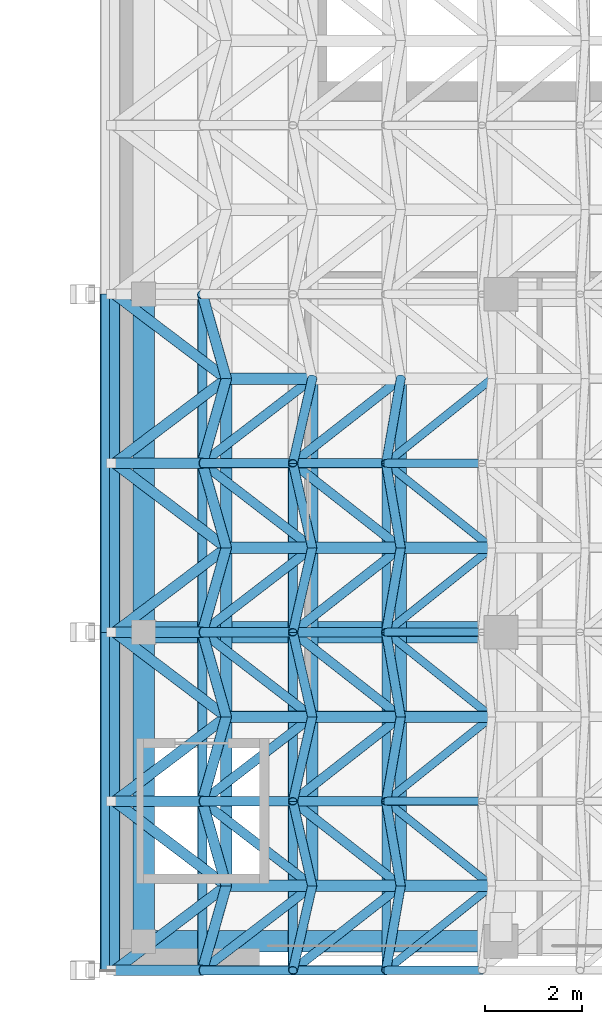
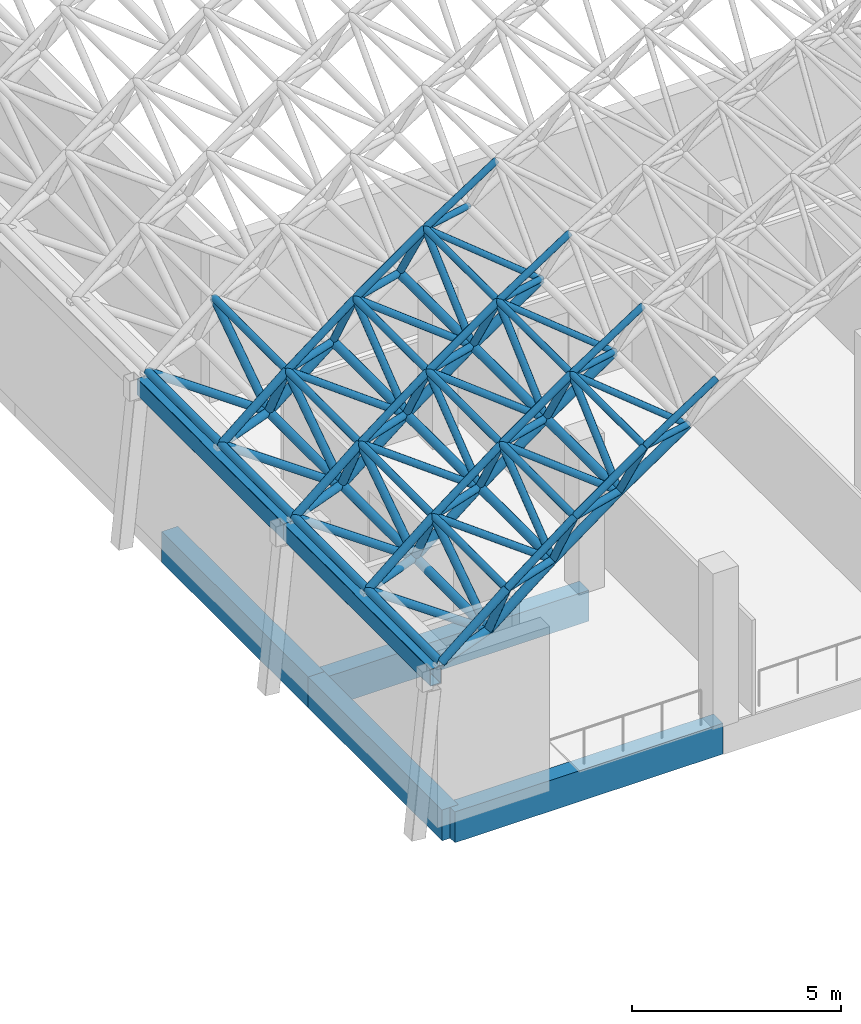
# One storey, part 38 of 141: 100 members, 6 beams.
"""IFC4 building model written with IfcOpenShell, lengths in metres."""

from ifc_helpers import new_model, si_unit, direction, frame, origin, origin_2d, place, context, subcontext, project, spatial, rectangle, hollow_rectangle, hollow_circle, extrude, material, material_profile, profile_set, type_object, element, save


model = new_model("IFC4")

# Units and contexts
model_context = context("Model", 3, precision=1e-05, world=origin(), true_north=direction((0.0, 1.0)))
body_context = subcontext(model_context, "Body", "Model", "MODEL_VIEW")
ifc_project = project(units=[si_unit("LENGTHUNIT", "METRE"), si_unit("AREAUNIT", "SQUARE_METRE"), si_unit("VOLUMEUNIT", "CUBIC_METRE"), si_unit("PLANEANGLEUNIT", "RADIAN"), si_unit("MASSUNIT", "GRAM", prefix="KILO")], contexts=[model_context])

# Site, building, storey
site_placement = place(None, origin())
site = spatial("IfcSite", under=ifc_project, at=site_placement, CompositionType="ELEMENT")
building_placement = place(site_placement, origin())
building = spatial("IfcBuilding", under=site, at=building_placement, Name="Lantern Court Media Centre", CompositionType="ELEMENT")
storey_placement = place(building_placement, frame((0.0, 0.0, 9.60009765625)))
storey = spatial("IfcBuildingStorey", under=building, at=storey_placement, Name="L02", CompositionType="ELEMENT", Elevation=9.60009765625)

# Beams
ifc_material_1 = material(Name="Concrete C35", Category="concrete")
ifc_material_profile_1 = material_profile(ifc_material_1, rectangle(XDim=0.449951171875, YDim=0.89990234375, at=origin_2d()), Name="RC 450x900")
ifc_profile_set_1 = profile_set([ifc_material_profile_1], Name="Concrete C35")
beam_type_1 = type_object("IfcBeamType", Name="RC BEAM 450x900", PredefinedType="BEAM", material=ifc_profile_set_1)
for number, where, z_axis, x_axis, name in (
    (1, (72.60009765625, -1.39990234375, -0.4501953125), (1.0, 0.0, 0.0), (0.0, 1.0, 0.0), "HB-V2-L02-FX0-0"),
    (2, (72.60009765625, 5.0, -0.4501953125), (1.0, 0.0, 0.0), (0.0, 1.0, 0.0), "HB-V2-L02-FX1-0"),
):
    element("IfcBeam", number, at=place(storey_placement, frame(where, z_axis=z_axis, x_axis=x_axis)), inside=storey, type_object=beam_type_1, Name=name, PredefinedType="BEAM", context=body_context, shape_type="SweptSolid", body=[
        extrude(rectangle(XDim=0.449951171875, YDim=0.89990234375, at=origin_2d()), origin(), (0.0, 0.0, 1.0), 7.39990234375),
    ])
beam_1_placement = place(storey_placement, frame((72.60009765625, -1.39990234375, -0.4501953125), z_axis=(0.0, 1.0, 0.0), x_axis=(-1.0, 0.0, 0.0)))
element("IfcBeam", 3, at=beam_1_placement, inside=storey, type_object=beam_type_1, Name="HB-V2-L02-FY0-0", PredefinedType="BEAM", context=body_context, shape_type="SweptSolid", body=[
    extrude(rectangle(XDim=0.449951171875, YDim=0.89990234375, at=origin_2d()), origin(), (0.0, 0.0, 1.0), 6.39990234375),
])
beam_2_placement = place(storey_placement, frame((72.60009765625, 5.0, -0.4501953125), z_axis=(0.0, 1.0, 0.0), x_axis=(-1.0, 0.0, 0.0)))
element("IfcBeam", 4, at=beam_2_placement, inside=storey, type_object=beam_type_1, Name="HB-V2-L02-FY0-1", PredefinedType="BEAM", context=body_context, shape_type="SweptSolid", body=[
    extrude(rectangle(XDim=0.449951171875, YDim=0.89990234375, at=origin_2d()), origin(), (0.0, 0.0, 1.0), 7.0),
])

# Members
ifc_material_2 = material(Name="Steel S355J2 (EN 10025-2)", Category="steel")
ifc_material_profile_2 = material_profile(ifc_material_2, hollow_circle(Radius=0.122314453125, WallThickness=0.012451171875, at=origin_2d()), Name="Studio Hall bottom CHS 244.5x12.5")
ifc_profile_set_2 = profile_set([ifc_material_profile_2], Name="Steel S355J2 (EN 10025-2)")
member_type_1 = type_object("IfcMemberType", Name="Studio Hall bottom CHS 244.5x12.5", PredefinedType="CHORD", material=ifc_profile_set_2)
for number, where, z_axis, x_axis, name in (
    (5, (77.923828125, -0.25, 6.66845703125), (0.0, 1.0, 0.0), (-1.0, 0.0, 0.0), "Studio Hall bottom chord 03-01"),
    (6, (77.923828125, 3.25, 6.66845703125), (0.0, 1.0, 0.0), (-1.0, 0.0, 0.0), "Studio Hall bottom chord 03-02"),
    (7, (77.923828125, 6.75, 6.66845703125), (0.0, 1.0, 0.0), (-1.0, 0.0, 0.0), "Studio Hall bottom chord 03-03"),
):
    element("IfcMember", number, at=place(storey_placement, frame(where, z_axis=z_axis, x_axis=x_axis)), inside=storey, type_object=member_type_1, Name=name, PredefinedType="CHORD", context=body_context, shape_type="SweptSolid", body=[
        extrude(hollow_circle(Radius=0.122314453125, WallThickness=0.012451171875, at=origin_2d()), origin(), (0.0, 0.0, 1.0), 3.5),
    ])
for number, where, z_axis, x_axis, name in (
    (8, (77.923828125, -0.25, 6.66845703125), (0.826376743552, 0.0, 0.563117641099), (0.0, 1.0, 0.0), "Studio Hall bottom chord 03-01 across"),
    (9, (77.923828125, 3.25, 6.66845703125), (0.826376743552, 0.0, 0.563117641099), (0.0, 1.0, 0.0), "Studio Hall bottom chord 03-02 across"),
    (10, (77.923828125, 6.75, 6.66845703125), (0.826376743552, 0.0, 0.563117641099), (0.0, 1.0, 0.0), "Studio Hall bottom chord 03-03 across"),
):
    element("IfcMember", number, at=place(storey_placement, frame(where, z_axis=z_axis, x_axis=x_axis)), inside=storey, type_object=member_type_1, Name=name, PredefinedType="CHORD", context=body_context, shape_type="SweptSolid", body=[
        extrude(hollow_circle(Radius=0.122314453125, WallThickness=0.012451171875, at=origin_2d()), origin(), (0.0, 0.0, 1.0), 2.28125),
    ])
ifc_material_profile_3 = material_profile(ifc_material_2, hollow_circle(Radius=0.122314453125, WallThickness=0.01611328125, at=origin_2d()), Name="Studio Hall bottom CHS 244.5x16")
ifc_profile_set_3 = profile_set([ifc_material_profile_3], Name="Steel S355J2 (EN 10025-2)")
member_type_2 = type_object("IfcMemberType", Name="Studio Hall bottom CHS 244.5x16", PredefinedType="CHORD", material=ifc_profile_set_3)
for number, where, z_axis, x_axis, name in (
    (11, (76.090576171875, -0.25, 5.310546875), (0.0, 1.0, 0.0), (-1.0, 0.0, 0.0), "Studio Hall bottom chord 02-01"),
    (12, (76.090576171875, 3.25, 5.310546875), (0.0, 1.0, 0.0), (-1.0, 0.0, 0.0), "Studio Hall bottom chord 02-02"),
    (13, (76.090576171875, 6.75, 5.310546875), (0.0, 1.0, 0.0), (-1.0, 0.0, 0.0), "Studio Hall bottom chord 02-03"),
):
    element("IfcMember", number, at=place(storey_placement, frame(where, z_axis=z_axis, x_axis=x_axis)), inside=storey, type_object=member_type_2, Name=name, PredefinedType="CHORD", context=body_context, shape_type="SweptSolid", body=[
        extrude(hollow_circle(Radius=0.122314453125, WallThickness=0.01611328125, at=origin_2d()), origin(), (0.0, 0.0, 1.0), 3.5),
    ])
for number, where, z_axis, x_axis, name in (
    (14, (76.090576171875, -0.25, 5.310546875), (0.803568567589, 0.0, 0.59521219509), (0.0, 1.0, 0.0), "Studio Hall bottom chord 02-01 across"),
    (15, (76.090576171875, 3.25, 5.310546875), (0.803568567589, 0.0, 0.59521219509), (0.0, 1.0, 0.0), "Studio Hall bottom chord 02-02 across"),
    (16, (76.090576171875, 6.75, 5.310546875), (0.803568567589, 0.0, 0.59521219509), (0.0, 1.0, 0.0), "Studio Hall bottom chord 02-03 across"),
):
    element("IfcMember", number, at=place(storey_placement, frame(where, z_axis=z_axis, x_axis=x_axis)), inside=storey, type_object=member_type_2, Name=name, PredefinedType="CHORD", context=body_context, shape_type="SweptSolid", body=[
        extrude(hollow_circle(Radius=0.122314453125, WallThickness=0.01611328125, at=origin_2d()), origin(), (0.0, 0.0, 1.0), 2.281494140625),
    ])
ifc_material_profile_4 = material_profile(ifc_material_2, hollow_circle(Radius=0.122314453125, WallThickness=0.02001953125, at=origin_2d()), Name="Studio Hall bottom CHS 244.5x20")
ifc_profile_set_4 = profile_set([ifc_material_profile_4], Name="Steel S355J2 (EN 10025-2)")
member_type_3 = type_object("IfcMemberType", Name="Studio Hall bottom CHS 244.5x20", PredefinedType="CHORD", material=ifc_profile_set_4)
for number, where, z_axis, x_axis, name in (
    (17, (74.3125, -0.25, 3.881591796875), (0.0, 1.0, 0.0), (-1.0, 0.0, 0.0), "Studio Hall bottom chord 01-01"),
    (18, (74.3125, 3.25, 3.881591796875), (0.0, 1.0, 0.0), (-1.0, 0.0, 0.0), "Studio Hall bottom chord 01-02"),
    (19, (74.3125, 6.75, 3.881591796875), (0.0, 1.0, 0.0), (-1.0, 0.0, 0.0), "Studio Hall bottom chord 01-03"),
):
    element("IfcMember", number, at=place(storey_placement, frame(where, z_axis=z_axis, x_axis=x_axis)), inside=storey, type_object=member_type_3, Name=name, PredefinedType="CHORD", context=body_context, shape_type="SweptSolid", body=[
        extrude(hollow_circle(Radius=0.122314453125, WallThickness=0.02001953125, at=origin_2d()), origin(), (0.0, 0.0, 1.0), 3.5),
    ])
for number, where, z_axis, x_axis, name in (
    (20, (74.3125, -0.25, 3.881591796875), (0.779478138425, 0.0, 0.626429430757), (0.0, 1.0, 0.0), "Studio Hall bottom chord 01-01 across"),
    (21, (74.3125, 3.25, 3.881591796875), (0.779478138425, 0.0, 0.626429430757), (0.0, 1.0, 0.0), "Studio Hall bottom chord 01-02 across"),
    (22, (74.3125, 6.75, 3.881591796875), (0.779478138425, 0.0, 0.626429430757), (0.0, 1.0, 0.0), "Studio Hall bottom chord 01-03 across"),
    (23, (74.3125, 10.25, 3.881591796875), (0.779478138425, 0.0, 0.626429430757), (0.0, 1.0, 0.0), "Studio Hall bottom chord 01-04 across"),
):
    element("IfcMember", number, at=place(storey_placement, frame(where, z_axis=z_axis, x_axis=x_axis)), inside=storey, type_object=member_type_3, Name=name, PredefinedType="CHORD", context=body_context, shape_type="SweptSolid", body=[
        extrude(hollow_circle(Radius=0.122314453125, WallThickness=0.02001953125, at=origin_2d()), origin(), (0.0, 0.0, 1.0), 2.281005859375),
    ])
ifc_material_profile_5 = material_profile(ifc_material_2, hollow_circle(Radius=0.084228515625, WallThickness=0.008056640625, at=origin_2d()), Name="Studio Hall diagonal CHS 168.3x8")
ifc_profile_set_5 = profile_set([ifc_material_profile_5], Name="Steel S355J2 (EN 10025-2)")
member_type_4 = type_object("IfcMemberType", Name="Studio Hall diagonal CHS 168.3x8", PredefinedType="BRACE", material=ifc_profile_set_5)
for number, where, z_axis, x_axis, name in (
    (24, (79.80908203125, -0.25, 7.953125), (-0.719205791884, -0.57530042587, 0.38957983638), (0.624652537065, -0.780902815937, 0.0), "Studio Hall diagonal 04-01-1"),
    (25, (79.80908203125, -0.25, 7.953125), (-0.719205791884, 0.57530042587, 0.38957983638), (-0.624652537065, -0.780902815937, 0.0), "Studio Hall diagonal 04-01-4"),
    (26, (79.80908203125, 3.25, 7.953125), (-0.719205791884, -0.57530042587, 0.38957983638), (0.624652537065, -0.780902815937, 0.0), "Studio Hall diagonal 04-02-1"),
    (27, (79.80908203125, 3.25, 7.953125), (-0.719205791884, 0.57530042587, 0.38957983638), (-0.624652537065, -0.780902815937, 0.0), "Studio Hall diagonal 04-02-4"),
    (28, (79.80908203125, 6.75, 7.953125), (-0.719205791884, -0.57530042587, 0.38957983638), (0.624652537065, -0.780902815937, 0.0), "Studio Hall diagonal 04-03-1"),
    (29, (79.80908203125, 6.75, 7.953125), (-0.719205791884, 0.57530042587, 0.38957983638), (-0.624652537065, -0.780902815937, 0.0), "Studio Hall diagonal 04-03-4"),
    (30, (79.80908203125, 10.25, 7.953125), (-0.719205791884, -0.57530042587, 0.38957983638), (0.624652537065, -0.780902815937, 0.0), "Studio Hall diagonal 04-04-1"),
):
    element("IfcMember", number, at=place(storey_placement, frame(where, z_axis=z_axis, x_axis=x_axis)), inside=storey, type_object=member_type_4, Name=name, PredefinedType="BRACE", context=body_context, shape_type="SweptSolid", body=[
        extrude(hollow_circle(Radius=0.084228515625, WallThickness=0.008056640625, at=origin_2d()), origin(), (0.0, 0.0, 1.0), 3.0419921875),
    ])
ifc_material_profile_6 = material_profile(ifc_material_2, hollow_circle(Radius=0.096923828125, WallThickness=0.010009765625, at=origin_2d()), Name="Studio Hall diagonal CHS 193.7x10")
ifc_profile_set_6 = profile_set([ifc_material_profile_6], Name="Steel S355J2 (EN 10025-2)")
member_type_5 = type_object("IfcMemberType", Name="Studio Hall diagonal CHS 193.7x10", PredefinedType="BRACE", material=ifc_profile_set_6)
for number, where, z_axis, x_axis, name in (
    (31, (76.090576171875, -0.25, 5.310546875), (-0.747676961141, -0.575284291269, 0.331703400644), (0.609809429153, -0.792548080634, 0.0), "Studio Hall diagonal 02-01-1"),
    (32, (76.090576171875, -0.25, 5.310546875), (-0.13137534314, -0.575258680284, 0.807352444706), (0.97489985117, -0.222643841569, 0.0), "Studio Hall diagonal 02-01-2"),
    (33, (76.090576171875, -0.25, 5.310546875), (-0.13137534314, 0.575258680284, 0.807352444706), (-0.97489985117, -0.222643841569, 0.0), "Studio Hall diagonal 02-01-3"),
    (34, (76.090576171875, -0.25, 5.310546875), (-0.747676961141, 0.575284291269, 0.331703400644), (-0.609809429153, -0.792548080634, 0.0), "Studio Hall diagonal 02-01-4"),
    (35, (76.090576171875, 3.25, 5.310546875), (-0.747676961141, -0.575284291269, 0.331703400644), (0.609809429153, -0.792548080634, 0.0), "Studio Hall diagonal 02-02-1"),
    (36, (76.090576171875, 3.25, 5.310546875), (-0.13137534314, -0.575258680284, 0.807352444706), (0.97489985117, -0.222643841569, 0.0), "Studio Hall diagonal 02-02-2"),
    (37, (76.090576171875, 3.25, 5.310546875), (-0.13137534314, 0.575258680284, 0.807352444706), (-0.97489985117, -0.222643841569, 0.0), "Studio Hall diagonal 02-02-3"),
    (38, (76.090576171875, 3.25, 5.310546875), (-0.747676961141, 0.575284291269, 0.331703400644), (-0.609809429153, -0.792548080634, 0.0), "Studio Hall diagonal 02-02-4"),
    (39, (76.090576171875, 6.75, 5.310546875), (-0.747676961141, -0.575284291269, 0.331703400644), (0.609809429153, -0.792548080634, 0.0), "Studio Hall diagonal 02-03-1"),
    (40, (76.090576171875, 6.75, 5.310546875), (-0.13137534314, -0.575258680284, 0.807352444706), (0.97489985117, -0.222643841569, 0.0), "Studio Hall diagonal 02-03-2"),
    (41, (76.090576171875, 6.75, 5.310546875), (-0.13137534314, 0.575258680284, 0.807352444706), (-0.97489985117, -0.222643841569, 0.0), "Studio Hall diagonal 02-03-3"),
    (42, (76.090576171875, 6.75, 5.310546875), (-0.747676961141, 0.575284291269, 0.331703400644), (-0.609809429153, -0.792548080634, 0.0), "Studio Hall diagonal 02-03-4"),
    (43, (76.090576171875, 10.25, 5.310546875), (-0.747676961141, -0.575284291269, 0.331703400644), (0.609809429153, -0.792548080634, 0.0), "Studio Hall diagonal 02-04-1"),
    (44, (76.090576171875, 10.25, 5.310546875), (-0.13137534314, -0.575258680284, 0.807352444706), (0.97489985117, -0.222643841569, 0.0), "Studio Hall diagonal 02-04-2"),
):
    element("IfcMember", number, at=place(storey_placement, frame(where, z_axis=z_axis, x_axis=x_axis)), inside=storey, type_object=member_type_5, Name=name, PredefinedType="BRACE", context=body_context, shape_type="SweptSolid", body=[
        extrude(hollow_circle(Radius=0.096923828125, WallThickness=0.010009765625, at=origin_2d()), origin(), (0.0, 0.0, 1.0), 3.0419921875),
    ])
ifc_material_profile_7 = material_profile(ifc_material_2, hollow_circle(Radius=0.096923828125, WallThickness=0.008056640625, at=origin_2d()), Name="Studio Hall diagonal CHS 193.7x8")
ifc_profile_set_7 = profile_set([ifc_material_profile_7], Name="Steel S355J2 (EN 10025-2)")
member_type_6 = type_object("IfcMemberType", Name="Studio Hall diagonal CHS 193.7x8", PredefinedType="BRACE", material=ifc_profile_set_7)
for number, where, z_axis, x_axis, name in (
    (45, (77.923828125, -0.25, 6.66845703125), (-0.734005385991, -0.57526247614, 0.360983624118), (0.616855729008, -0.787076241282, 0.0), "Studio Hall diagonal 03-01-1"),
    (46, (77.923828125, -0.25, 6.66845703125), (-0.099439098635, -0.575286084759, 0.811885328323), (0.985387799185, -0.170325820758, 0.0), "Studio Hall diagonal 03-01-2"),
    (47, (77.923828125, -0.25, 6.66845703125), (-0.099439098635, 0.575286084759, 0.811885328323), (-0.985387799185, -0.170325820758, 0.0), "Studio Hall diagonal 03-01-3"),
    (48, (77.923828125, -0.25, 6.66845703125), (-0.734005385991, 0.57526247614, 0.360983624118), (-0.616855729008, -0.787076241282, 0.0), "Studio Hall diagonal 03-01-4"),
    (49, (77.923828125, 3.25, 6.66845703125), (-0.734005385991, -0.57526247614, 0.360983624118), (0.616855729008, -0.787076241282, 0.0), "Studio Hall diagonal 03-02-1"),
    (50, (77.923828125, 3.25, 6.66845703125), (-0.099439098635, -0.575286084759, 0.811885328323), (0.985387799185, -0.170325820758, 0.0), "Studio Hall diagonal 03-02-2"),
    (51, (77.923828125, 3.25, 6.66845703125), (-0.099439098635, 0.575286084759, 0.811885328323), (-0.985387799185, -0.170325820758, 0.0), "Studio Hall diagonal 03-02-3"),
    (52, (77.923828125, 3.25, 6.66845703125), (-0.734005385991, 0.57526247614, 0.360983624118), (-0.616855729008, -0.787076241282, 0.0), "Studio Hall diagonal 03-02-4"),
    (53, (77.923828125, 6.75, 6.66845703125), (-0.734005385991, -0.57526247614, 0.360983624118), (0.616855729008, -0.787076241282, 0.0), "Studio Hall diagonal 03-03-1"),
    (54, (77.923828125, 6.75, 6.66845703125), (-0.099439098635, -0.575286084759, 0.811885328323), (0.985387799185, -0.170325820758, 0.0), "Studio Hall diagonal 03-03-2"),
    (55, (77.923828125, 6.75, 6.66845703125), (-0.099439098635, 0.575286084759, 0.811885328323), (-0.985387799185, -0.170325820758, 0.0), "Studio Hall diagonal 03-03-3"),
    (56, (77.923828125, 6.75, 6.66845703125), (-0.734005385991, 0.57526247614, 0.360983624118), (-0.616855729008, -0.787076241282, 0.0), "Studio Hall diagonal 03-03-4"),
    (57, (77.923828125, 10.25, 6.66845703125), (-0.734005385991, -0.57526247614, 0.360983624118), (0.616855729008, -0.787076241282, 0.0), "Studio Hall diagonal 03-04-1"),
    (58, (77.923828125, 10.25, 6.66845703125), (-0.099439098635, -0.575286084759, 0.811885328323), (0.985387799185, -0.170325820758, 0.0), "Studio Hall diagonal 03-04-2"),
):
    element("IfcMember", number, at=place(storey_placement, frame(where, z_axis=z_axis, x_axis=x_axis)), inside=storey, type_object=member_type_6, Name=name, PredefinedType="BRACE", context=body_context, shape_type="SweptSolid", body=[
        extrude(hollow_circle(Radius=0.096923828125, WallThickness=0.008056640625, at=origin_2d()), origin(), (0.0, 0.0, 1.0), 3.0419921875),
    ])
ifc_material_profile_8 = material_profile(ifc_material_2, hollow_circle(Radius=0.109619140625, WallThickness=0.010009765625, at=origin_2d()), Name="Studio Hall diagonal CHS 219.1x10")
ifc_profile_set_8 = profile_set([ifc_material_profile_8], Name="Steel S355J2 (EN 10025-2)")
member_type_7 = type_object("IfcMemberType", Name="Studio Hall diagonal CHS 219.1x10", PredefinedType="BRACE", material=ifc_profile_set_8)
member_1_placement = place(storey_placement, frame((74.3125, -0.25, 3.881591796875), z_axis=(-0.760210907984, -0.575294741177, 0.301853169862), x_axis=(0.603442670186, -0.797406385602, 0.0)))
element("IfcMember", 59, at=member_1_placement, inside=storey, type_object=member_type_7, Name="Studio Hall diagonal 01-01-1", PredefinedType="BRACE", context=body_context, shape_type="SweptSolid", body=[
    extrude(hollow_circle(Radius=0.109619140625, WallThickness=0.010009765625, at=origin_2d()), origin(), (0.0, 0.0, 1.0), 3.0419921875),
])
for number, where, z_axis, x_axis, name in (
    (60, (74.3125, -0.25, 3.881591796875), (-0.163171626005, -0.575314419679, 0.801491321835), (0.962053941871, -0.2728593281, 0.0), "Studio Hall diagonal 01-01-2"),
    (61, (74.3125, -0.25, 3.881591796875), (-0.163171626005, 0.575314419679, 0.801491321835), (-0.962053941871, -0.2728593281, 0.0), "Studio Hall diagonal 01-01-3"),
):
    element("IfcMember", number, at=place(storey_placement, frame(where, z_axis=z_axis, x_axis=x_axis)), inside=storey, type_object=member_type_7, Name=name, PredefinedType="BRACE", context=body_context, shape_type="SweptSolid", body=[
        extrude(hollow_circle(Radius=0.109619140625, WallThickness=0.010009765625, at=origin_2d()), origin(), (0.0, 0.0, 1.0), 3.041748046875),
    ])
for number, where, z_axis, x_axis, name in (
    (62, (74.3125, -0.25, 3.881591796875), (-0.760210907984, 0.575294741177, 0.301853169862), (-0.603442670186, -0.797406385602, 0.0), "Studio Hall diagonal 01-01-4"),
    (63, (74.3125, 3.25, 3.881591796875), (-0.760210907984, -0.575294741177, 0.301853169862), (0.603442670186, -0.797406385602, 0.0), "Studio Hall diagonal 01-02-1"),
):
    element("IfcMember", number, at=place(storey_placement, frame(where, z_axis=z_axis, x_axis=x_axis)), inside=storey, type_object=member_type_7, Name=name, PredefinedType="BRACE", context=body_context, shape_type="SweptSolid", body=[
        extrude(hollow_circle(Radius=0.109619140625, WallThickness=0.010009765625, at=origin_2d()), origin(), (0.0, 0.0, 1.0), 3.0419921875),
    ])
for number, where, z_axis, x_axis, name in (
    (64, (74.3125, 3.25, 3.881591796875), (-0.163171626005, -0.575314419679, 0.801491321835), (0.962053941871, -0.2728593281, 0.0), "Studio Hall diagonal 01-02-2"),
    (65, (74.3125, 3.25, 3.881591796875), (-0.163171626005, 0.575314419679, 0.801491321835), (-0.962053941871, -0.2728593281, 0.0), "Studio Hall diagonal 01-02-3"),
):
    element("IfcMember", number, at=place(storey_placement, frame(where, z_axis=z_axis, x_axis=x_axis)), inside=storey, type_object=member_type_7, Name=name, PredefinedType="BRACE", context=body_context, shape_type="SweptSolid", body=[
        extrude(hollow_circle(Radius=0.109619140625, WallThickness=0.010009765625, at=origin_2d()), origin(), (0.0, 0.0, 1.0), 3.041748046875),
    ])
for number, where, z_axis, x_axis, name in (
    (66, (74.3125, 3.25, 3.881591796875), (-0.760210907984, 0.575294741177, 0.301853169862), (-0.603442670186, -0.797406385602, 0.0), "Studio Hall diagonal 01-02-4"),
    (67, (74.3125, 6.75, 3.881591796875), (-0.760210907984, -0.575294741177, 0.301853169862), (0.603442670186, -0.797406385602, 0.0), "Studio Hall diagonal 01-03-1"),
):
    element("IfcMember", number, at=place(storey_placement, frame(where, z_axis=z_axis, x_axis=x_axis)), inside=storey, type_object=member_type_7, Name=name, PredefinedType="BRACE", context=body_context, shape_type="SweptSolid", body=[
        extrude(hollow_circle(Radius=0.109619140625, WallThickness=0.010009765625, at=origin_2d()), origin(), (0.0, 0.0, 1.0), 3.0419921875),
    ])
for number, where, z_axis, x_axis, name in (
    (68, (74.3125, 6.75, 3.881591796875), (-0.163171626005, -0.575314419679, 0.801491321835), (0.962053941871, -0.2728593281, 0.0), "Studio Hall diagonal 01-03-2"),
    (69, (74.3125, 6.75, 3.881591796875), (-0.163171626005, 0.575314419679, 0.801491321835), (-0.962053941871, -0.2728593281, 0.0), "Studio Hall diagonal 01-03-3"),
):
    element("IfcMember", number, at=place(storey_placement, frame(where, z_axis=z_axis, x_axis=x_axis)), inside=storey, type_object=member_type_7, Name=name, PredefinedType="BRACE", context=body_context, shape_type="SweptSolid", body=[
        extrude(hollow_circle(Radius=0.109619140625, WallThickness=0.010009765625, at=origin_2d()), origin(), (0.0, 0.0, 1.0), 3.041748046875),
    ])
for number, where, z_axis, x_axis, name in (
    (70, (74.3125, 6.75, 3.881591796875), (-0.760210907984, 0.575294741177, 0.301853169862), (-0.603442670186, -0.797406385602, 0.0), "Studio Hall diagonal 01-03-4"),
    (71, (74.3125, 10.25, 3.881591796875), (-0.760210907984, -0.575294741177, 0.301853169862), (0.603442670186, -0.797406385602, 0.0), "Studio Hall diagonal 01-04-1"),
):
    element("IfcMember", number, at=place(storey_placement, frame(where, z_axis=z_axis, x_axis=x_axis)), inside=storey, type_object=member_type_7, Name=name, PredefinedType="BRACE", context=body_context, shape_type="SweptSolid", body=[
        extrude(hollow_circle(Radius=0.109619140625, WallThickness=0.010009765625, at=origin_2d()), origin(), (0.0, 0.0, 1.0), 3.0419921875),
    ])
for number, where, z_axis, x_axis, name in (
    (72, (74.3125, 10.25, 3.881591796875), (-0.163171626005, -0.575314419679, 0.801491321835), (0.962053941871, -0.2728593281, 0.0), "Studio Hall diagonal 01-04-2"),
    (73, (74.3125, 10.25, 3.881591796875), (-0.163171626005, 0.575314419679, 0.801491321835), (-0.962053941871, -0.2728593281, 0.0), "Studio Hall diagonal 01-04-3"),
):
    element("IfcMember", number, at=place(storey_placement, frame(where, z_axis=z_axis, x_axis=x_axis)), inside=storey, type_object=member_type_7, Name=name, PredefinedType="BRACE", context=body_context, shape_type="SweptSolid", body=[
        extrude(hollow_circle(Radius=0.109619140625, WallThickness=0.010009765625, at=origin_2d()), origin(), (0.0, 0.0, 1.0), 3.041748046875),
    ])
member_2_placement = place(storey_placement, frame((74.3125, 10.25, 3.881591796875), z_axis=(-0.760210907984, 0.575294741177, 0.301853169862), x_axis=(-0.603442670186, -0.797406385602, 0.0)))
element("IfcMember", 74, at=member_2_placement, inside=storey, type_object=member_type_7, Name="Studio Hall diagonal 01-04-4", PredefinedType="BRACE", context=body_context, shape_type="SweptSolid", body=[
    extrude(hollow_circle(Radius=0.109619140625, WallThickness=0.010009765625, at=origin_2d()), origin(), (0.0, 0.0, 1.0), 3.0419921875),
])

# Beams
ifc_material_profile_9 = material_profile(ifc_material_2, hollow_rectangle(XDim=0.300048828125, YDim=0.5, WallThickness=0.01611328125, InnerFilletRadius=0.01611328125, OuterFilletRadius=0.02392578125, at=origin_2d()), Name="Studio Hall edge girder RHS 500x300x16")
ifc_profile_set_9 = profile_set([ifc_material_profile_9], Name="Steel S355J2 (EN 10025-2)")
beam_type_2 = type_object("IfcBeamType", Name="Studio Hall edge girder RHS 500x300x16", PredefinedType="BEAM", material=ifc_profile_set_9)
for number, where, z_axis, x_axis, name in (
    (75, (71.85009765625, -2.0, 4.449951171875), (0.0, 1.0, 0.0), (-1.0, 0.0, 0.0), "Studio Hall edge girder west 1"),
    (76, (71.85009765625, 5.0, 4.449951171875), (0.0, 1.0, 0.0), (-1.0, 0.0, 0.0), "Studio Hall edge girder west 2"),
):
    element("IfcBeam", number, at=place(storey_placement, frame(where, z_axis=z_axis, x_axis=x_axis)), inside=storey, type_object=beam_type_2, Name=name, PredefinedType="BEAM", context=body_context, shape_type="SweptSolid", body=[
        extrude(hollow_rectangle(XDim=0.300048828125, YDim=0.5, WallThickness=0.01611328125, InnerFilletRadius=0.01611328125, OuterFilletRadius=0.02392578125, at=origin_2d()), origin(), (0.0, 0.0, 1.0), 7.0),
    ])

# Members
ifc_material_profile_10 = material_profile(ifc_material_2, hollow_circle(Radius=0.0888671875, WallThickness=0.010009765625, at=origin_2d()), Name="Studio Hall top CHS 177.8x10")
ifc_profile_set_10 = profile_set([ifc_material_profile_10], Name="Steel S355J2 (EN 10025-2)")
member_type_8 = type_object("IfcMemberType", Name="Studio Hall top CHS 177.8x10", PredefinedType="CHORD", material=ifc_profile_set_10)
for number, where, z_axis, x_axis, name in (
    (77, (77.621337890625, -2.0, 9.13818359375), (0.0, 1.0, 0.0), (-1.0, 0.0, 0.0), "Studio Hall top chord 04-01"),
    (78, (77.621337890625, 1.5, 9.13818359375), (0.0, 1.0, 0.0), (-1.0, 0.0, 0.0), "Studio Hall top chord 04-02"),
    (79, (77.621337890625, 5.0, 9.13818359375), (0.0, 1.0, 0.0), (-1.0, 0.0, 0.0), "Studio Hall top chord 04-03"),
):
    element("IfcMember", number, at=place(storey_placement, frame(where, z_axis=z_axis, x_axis=x_axis)), inside=storey, type_object=member_type_8, Name=name, PredefinedType="CHORD", context=body_context, shape_type="SweptSolid", body=[
        extrude(hollow_circle(Radius=0.0888671875, WallThickness=0.010009765625, at=origin_2d()), origin(), (0.0, 0.0, 1.0), 3.5),
    ])
for number, where, z_axis, x_axis, name in (
    (80, (77.621337890625, -2.0, 9.13818359375), (0.837356212506, 0.0, 0.546657638178), (0.0, 1.0, 0.0), "Studio Hall top chord 04-01 across"),
    (81, (77.621337890625, 1.5, 9.13818359375), (0.837356212506, 0.0, 0.546657638178), (0.0, 1.0, 0.0), "Studio Hall top chord 04-02 across"),
    (82, (77.621337890625, 5.0, 9.13818359375), (0.837356212506, 0.0, 0.546657638178), (0.0, 1.0, 0.0), "Studio Hall top chord 04-03 across"),
    (83, (77.621337890625, 8.5, 9.13818359375), (0.837356212506, 0.0, 0.546657638178), (0.0, 1.0, 0.0), "Studio Hall top chord 04-04 across"),
):
    element("IfcMember", number, at=place(storey_placement, frame(where, z_axis=z_axis, x_axis=x_axis)), inside=storey, type_object=member_type_8, Name=name, PredefinedType="CHORD", context=body_context, shape_type="SweptSolid", body=[
        extrude(hollow_circle(Radius=0.0888671875, WallThickness=0.010009765625, at=origin_2d()), origin(), (0.0, 0.0, 1.0), 2.368408203125),
    ])
ifc_material_profile_11 = material_profile(ifc_material_2, hollow_circle(Radius=0.096923828125, WallThickness=0.010009765625, at=origin_2d()), Name="Studio Hall top CHS 193.7x10")
ifc_profile_set_11 = profile_set([ifc_material_profile_11], Name="Steel S355J2 (EN 10025-2)")
member_type_9 = type_object("IfcMemberType", Name="Studio Hall top CHS 193.7x10", PredefinedType="CHORD", material=ifc_profile_set_11)
for number, where, z_axis, x_axis, name in (
    (84, (75.69091796875, -2.0, 7.7666015625), (0.0, 1.0, 0.0), (-1.0, 0.0, 0.0), "Studio Hall top chord 03-01"),
    (85, (75.69091796875, 1.5, 7.7666015625), (0.0, 1.0, 0.0), (-1.0, 0.0, 0.0), "Studio Hall top chord 03-02"),
    (86, (75.69091796875, 5.0, 7.7666015625), (0.0, 1.0, 0.0), (-1.0, 0.0, 0.0), "Studio Hall top chord 03-03"),
):
    element("IfcMember", number, at=place(storey_placement, frame(where, z_axis=z_axis, x_axis=x_axis)), inside=storey, type_object=member_type_9, Name=name, PredefinedType="CHORD", context=body_context, shape_type="SweptSolid", body=[
        extrude(hollow_circle(Radius=0.096923828125, WallThickness=0.010009765625, at=origin_2d()), origin(), (0.0, 0.0, 1.0), 3.5),
    ])
for number, where, z_axis, x_axis, name in (
    (87, (75.69091796875, -2.0, 7.7666015625), (0.815186813221, 0.0, 0.579198117703), (0.0, 1.0, 0.0), "Studio Hall top chord 03-01 across"),
    (88, (75.69091796875, 1.5, 7.7666015625), (0.815186813221, 0.0, 0.579198117703), (0.0, 1.0, 0.0), "Studio Hall top chord 03-02 across"),
    (89, (75.69091796875, 5.0, 7.7666015625), (0.815186813221, 0.0, 0.579198117703), (0.0, 1.0, 0.0), "Studio Hall top chord 03-03 across"),
    (90, (75.69091796875, 8.5, 7.7666015625), (0.815186813221, 0.0, 0.579198117703), (0.0, 1.0, 0.0), "Studio Hall top chord 03-04 across"),
):
    element("IfcMember", number, at=place(storey_placement, frame(where, z_axis=z_axis, x_axis=x_axis)), inside=storey, type_object=member_type_9, Name=name, PredefinedType="CHORD", context=body_context, shape_type="SweptSolid", body=[
        extrude(hollow_circle(Radius=0.096923828125, WallThickness=0.010009765625, at=origin_2d()), origin(), (0.0, 0.0, 1.0), 2.3681640625),
    ])
ifc_material_profile_12 = material_profile(ifc_material_2, hollow_circle(Radius=0.096923828125, WallThickness=0.012451171875, at=origin_2d()), Name="Studio Hall top CHS 193.7x12.5")
ifc_profile_set_12 = profile_set([ifc_material_profile_12], Name="Steel S355J2 (EN 10025-2)")
member_type_10 = type_object("IfcMemberType", Name="Studio Hall top CHS 193.7x12.5", PredefinedType="CHORD", material=ifc_profile_set_12)
for number, where, z_axis, x_axis, name in (
    (91, (73.816162109375, -2.0, 6.319580078125), (0.0, 1.0, 0.0), (-1.0, 0.0, 0.0), "Studio Hall top chord 02-01"),
    (92, (73.816162109375, 1.5, 6.319580078125), (0.0, 1.0, 0.0), (-1.0, 0.0, 0.0), "Studio Hall top chord 02-02"),
    (93, (73.816162109375, 5.0, 6.319580078125), (0.0, 1.0, 0.0), (-1.0, 0.0, 0.0), "Studio Hall top chord 02-03"),
    (94, (73.816162109375, 8.5, 6.319580078125), (0.0, 1.0, 0.0), (-1.0, 0.0, 0.0), "Studio Hall top chord 02-04"),
):
    element("IfcMember", number, at=place(storey_placement, frame(where, z_axis=z_axis, x_axis=x_axis)), inside=storey, type_object=member_type_10, Name=name, PredefinedType="CHORD", context=body_context, shape_type="SweptSolid", body=[
        extrude(hollow_circle(Radius=0.096923828125, WallThickness=0.012451171875, at=origin_2d()), origin(), (0.0, 0.0, 1.0), 3.5),
    ])
for number, where, z_axis, x_axis, name in (
    (95, (73.816162109375, -2.0, 6.319580078125), (0.791622688111, 0.0, 0.611010245141), (0.0, 1.0, 0.0), "Studio Hall top chord 02-01 across"),
    (96, (73.816162109375, 1.5, 6.319580078125), (0.791622688111, 0.0, 0.611010245141), (0.0, 1.0, 0.0), "Studio Hall top chord 02-02 across"),
    (97, (73.816162109375, 5.0, 6.319580078125), (0.791622688111, 0.0, 0.611010245141), (0.0, 1.0, 0.0), "Studio Hall top chord 02-03 across"),
    (98, (73.816162109375, 8.5, 6.319580078125), (0.791622688111, 0.0, 0.611010245141), (0.0, 1.0, 0.0), "Studio Hall top chord 02-04 across"),
):
    element("IfcMember", number, at=place(storey_placement, frame(where, z_axis=z_axis, x_axis=x_axis)), inside=storey, type_object=member_type_10, Name=name, PredefinedType="CHORD", context=body_context, shape_type="SweptSolid", body=[
        extrude(hollow_circle(Radius=0.096923828125, WallThickness=0.012451171875, at=origin_2d()), origin(), (0.0, 0.0, 1.0), 2.3681640625),
    ])
ifc_material_profile_13 = material_profile(ifc_material_2, hollow_circle(Radius=0.109619140625, WallThickness=0.012451171875, at=origin_2d()), Name="Studio Hall top CHS 219.1x12.5")
ifc_profile_set_13 = profile_set([ifc_material_profile_13], Name="Steel S355J2 (EN 10025-2)")
member_type_11 = type_object("IfcMemberType", Name="Studio Hall top CHS 219.1x12.5", PredefinedType="CHORD", material=ifc_profile_set_13)
for number, where, z_axis, x_axis, name in (
    (99, (72.0, -2.0, 4.7998046875), (0.0, 1.0, 0.0), (-1.0, 0.0, 0.0), "Studio Hall top chord 01-01"),
    (100, (72.0, 1.5, 4.7998046875), (0.0, 1.0, 0.0), (-1.0, 0.0, 0.0), "Studio Hall top chord 01-02"),
    (101, (72.0, 5.0, 4.7998046875), (0.0, 1.0, 0.0), (-1.0, 0.0, 0.0), "Studio Hall top chord 01-03"),
    (102, (72.0, 8.5, 4.7998046875), (0.0, 1.0, 0.0), (-1.0, 0.0, 0.0), "Studio Hall top chord 01-04"),
):
    element("IfcMember", number, at=place(storey_placement, frame(where, z_axis=z_axis, x_axis=x_axis)), inside=storey, type_object=member_type_11, Name=name, PredefinedType="CHORD", context=body_context, shape_type="SweptSolid", body=[
        extrude(hollow_circle(Radius=0.109619140625, WallThickness=0.012451171875, at=origin_2d()), origin(), (0.0, 0.0, 1.0), 3.5),
    ])
for number, where, z_axis, x_axis, name in (
    (103, (72.0, -2.0, 4.7998046875), (0.766909881815, 0.0, 0.641754807675), (0.0, 1.0, 0.0), "Studio Hall top chord 01-01 across"),
    (104, (72.0, 1.5, 4.7998046875), (0.766909881815, 0.0, 0.641754807675), (0.0, 1.0, 0.0), "Studio Hall top chord 01-02 across"),
    (105, (72.0, 5.0, 4.7998046875), (0.766909881815, 0.0, 0.641754807675), (0.0, 1.0, 0.0), "Studio Hall top chord 01-03 across"),
    (106, (72.0, 8.5, 4.7998046875), (0.766909881815, 0.0, 0.641754807675), (0.0, 1.0, 0.0), "Studio Hall top chord 01-04 across"),
):
    element("IfcMember", number, at=place(storey_placement, frame(where, z_axis=z_axis, x_axis=x_axis)), inside=storey, type_object=member_type_11, Name=name, PredefinedType="CHORD", context=body_context, shape_type="SweptSolid", body=[
        extrude(hollow_circle(Radius=0.109619140625, WallThickness=0.012451171875, at=origin_2d()), origin(), (0.0, 0.0, 1.0), 2.3681640625),
    ])

save(model, "model.ifc")
